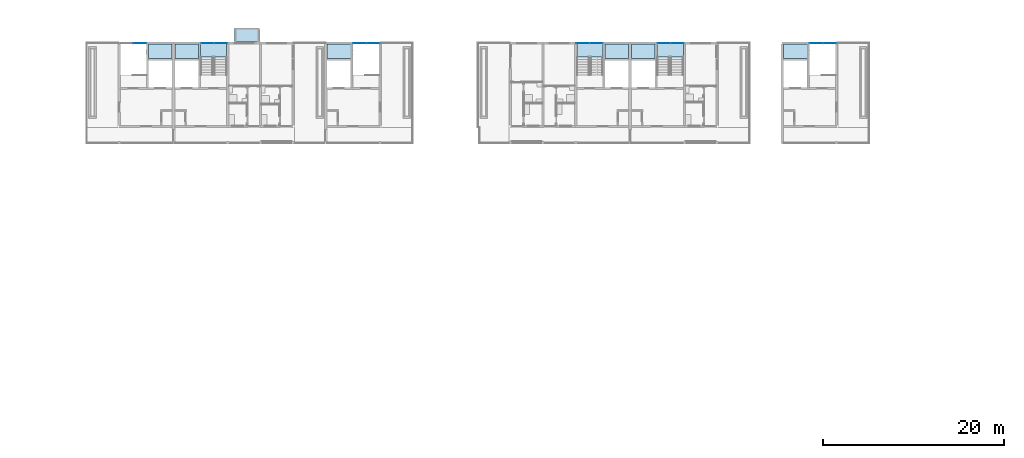
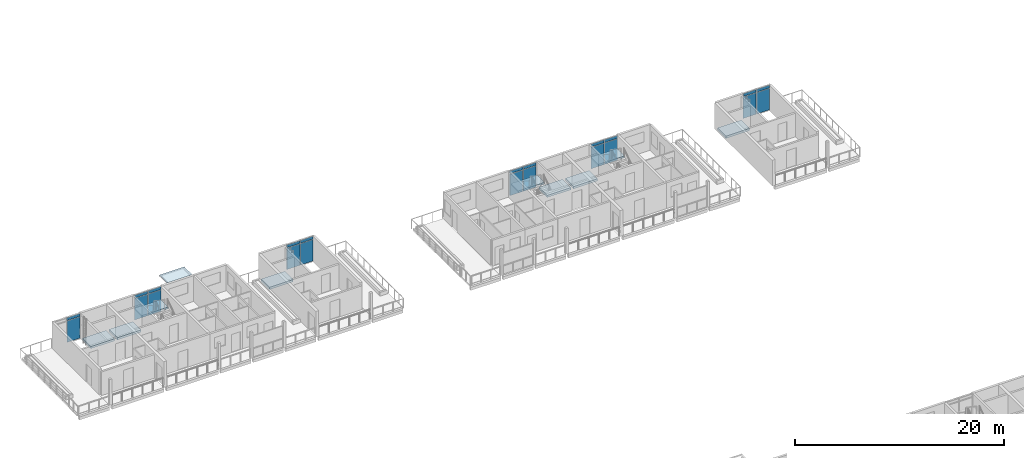
# One storey, part 29 of 94: 22 plates, 10 slabs, 9 elements without a shape of their own.
"""IFC4 building model written with IfcOpenShell, lengths in metres."""

from ifc_helpers import new_model, si_unit, direction, frame, origin, origin_2d, place, context, subcontext, project, spatial, polyline, rectangle, outline, extrude, material, layer, layer_set, type_object, element, aggregate, save


model = new_model("IFC4")

# Units and contexts
model_context = context("Model", 3, precision=1e-05, world=origin(), true_north=direction((0.0, 1.0)))
body_context = subcontext(model_context, "Body", "Model", "MODEL_VIEW")
ifc_project = project(units=[si_unit("LENGTHUNIT", "METRE"), si_unit("AREAUNIT", "SQUARE_METRE"), si_unit("VOLUMEUNIT", "CUBIC_METRE"), si_unit("PLANEANGLEUNIT", "RADIAN"), si_unit("MASSUNIT", "GRAM", prefix="KILO")], contexts=[model_context])

# Site, building, storey
site_placement = place(None, origin())
site = spatial("IfcSite", under=ifc_project, at=site_placement, CompositionType="ELEMENT")
building_placement = place(site_placement, origin())
building = spatial("IfcBuilding", under=site, at=building_placement, Name="Ridgestep Commons", CompositionType="ELEMENT")
storey_placement = place(building_placement, frame((0.0, 0.0, 24.0)))
storey = spatial("IfcBuildingStorey", under=building, at=storey_placement, Name="L08", CompositionType="ELEMENT", Elevation=24.0)

# Curtain wall, plate
ifc_material_1 = material(Name="Aluminium 6063-T6 and glass", Category="aluminium")
curtain_wall_type = type_object("IfcCurtainWallType", Name="Curtain wall stair strip", PredefinedType="NOTDEFINED", material=ifc_material_1)
curtain_wall_1_placement = place(storey_placement, origin())
curtain_wall_1 = element("IfcCurtainWall", 1, at=curtain_wall_1_placement, inside=storey, type_object=curtain_wall_type, Name="Curtain wall B1C level 08", PredefinedType="NOTDEFINED")
ifc_material_2 = material(Name="Glass laminated 6/16/6 low-emissivity", Category="glass")
ifc_layer_1 = layer(ifc_material_2, 0.028076171875)
ifc_layer_set_1 = layer_set([ifc_layer_1], Name="Glazing panel 28")
plate_type_1 = type_object("IfcPlateType", Name="Glazing panel 28", PredefinedType="CURTAIN_PANEL", material=ifc_layer_set_1)
plate_1_placement = place(storey_placement, frame((25.0537109375, 77.080078125, 0.06005859375), z_axis=(0.0, 0.0, 1.0), x_axis=(1.0, 0.0, 0.0)))
plate_1 = element("IfcPlate", 2, at=plate_1_placement, type_object=plate_type_1, Name="CW1 panel 2.1", PredefinedType="CURTAIN_PANEL", context=body_context, shape_type="SweptSolid", body=[
    extrude(rectangle(XDim=1.422607421875, YDim=0.028076171875, at=origin_2d()), origin(), (0.0, 0.0, 1.0), 2.5),
])

# Curtain wall, plates
curtain_wall_2_placement = place(storey_placement, origin())
curtain_wall_2 = element("IfcCurtainWall", 3, at=curtain_wall_2_placement, inside=storey, type_object=curtain_wall_type, Name="Curtain wall B2C level 08", PredefinedType="NOTDEFINED")
plate_2_placement = place(storey_placement, frame((32.546142578125, 77.080078125, 0.06005859375), z_axis=(0.0, 0.0, 1.0), x_axis=(1.0, 0.0, 0.0)))
plate_2 = element("IfcPlate", 4, at=plate_2_placement, type_object=plate_type_1, Name="CW1 panel 1.1", PredefinedType="CURTAIN_PANEL", context=body_context, shape_type="SweptSolid", body=[
    extrude(rectangle(XDim=1.422607421875, YDim=0.028076171875, at=origin_2d()), origin(), (0.0, 0.0, 1.0), 2.5),
])
plate_3_placement = place(storey_placement, frame((34.02880859375, 77.080078125, 0.06005859375), z_axis=(0.0, 0.0, 1.0), x_axis=(1.0, 0.0, 0.0)))
plate_3 = element("IfcPlate", 5, at=plate_3_placement, type_object=plate_type_1, Name="CW1 panel 2.1", PredefinedType="CURTAIN_PANEL", context=body_context, shape_type="SweptSolid", body=[
    extrude(rectangle(XDim=1.422607421875, YDim=0.028076171875, at=origin_2d()), origin(), (0.0, 0.0, 1.0), 2.5),
])

curtain_wall_3_placement = place(storey_placement, origin())
curtain_wall_3 = element("IfcCurtainWall", 6, at=curtain_wall_3_placement, inside=storey, type_object=curtain_wall_type, Name="Curtain wall B3C level 08", PredefinedType="NOTDEFINED")
plate_4_placement = place(storey_placement, frame((49.34619140625, 77.080078125, 0.06005859375), z_axis=(0.0, 0.0, 1.0), x_axis=(1.0, 0.0, 0.0)))
plate_4 = element("IfcPlate", 7, at=plate_4_placement, type_object=plate_type_1, Name="CW1 panel 1.1", PredefinedType="CURTAIN_PANEL", context=body_context, shape_type="SweptSolid", body=[
    extrude(rectangle(XDim=1.422607421875, YDim=0.028076171875, at=origin_2d()), origin(), (0.0, 0.0, 1.0), 2.5),
])
plate_5_placement = place(storey_placement, frame((50.828857421875, 77.080078125, 0.06005859375), z_axis=(0.0, 0.0, 1.0), x_axis=(1.0, 0.0, 0.0)))
plate_5 = element("IfcPlate", 8, at=plate_5_placement, type_object=plate_type_1, Name="CW1 panel 2.1", PredefinedType="CURTAIN_PANEL", context=body_context, shape_type="SweptSolid", body=[
    extrude(rectangle(XDim=1.422607421875, YDim=0.028076171875, at=origin_2d()), origin(), (0.0, 0.0, 1.0), 2.5),
])

curtain_wall_4_placement = place(storey_placement, origin())
curtain_wall_4 = element("IfcCurtainWall", 9, at=curtain_wall_4_placement, inside=storey, type_object=curtain_wall_type, Name="Curtain wall B4C level 08", PredefinedType="NOTDEFINED")
plate_6_placement = place(storey_placement, frame((73.97119140625, 77.080078125, 0.06005859375), z_axis=(0.0, 0.0, 1.0), x_axis=(1.0, 0.0, 0.0)))
plate_6 = element("IfcPlate", 10, at=plate_6_placement, type_object=plate_type_1, Name="CW1 panel 1.1", PredefinedType="CURTAIN_PANEL", context=body_context, shape_type="SweptSolid", body=[
    extrude(rectangle(XDim=1.422607421875, YDim=0.028076171875, at=origin_2d()), origin(), (0.0, 0.0, 1.0), 2.5),
])
plate_7_placement = place(storey_placement, frame((75.453857421875, 77.080078125, 0.06005859375), z_axis=(0.0, 0.0, 1.0), x_axis=(1.0, 0.0, 0.0)))
plate_7 = element("IfcPlate", 11, at=plate_7_placement, type_object=plate_type_1, Name="CW1 panel 2.1", PredefinedType="CURTAIN_PANEL", context=body_context, shape_type="SweptSolid", body=[
    extrude(rectangle(XDim=1.422607421875, YDim=0.028076171875, at=origin_2d()), origin(), (0.0, 0.0, 1.0), 2.5),
])

curtain_wall_5_placement = place(storey_placement, origin())
curtain_wall_5 = element("IfcCurtainWall", 12, at=curtain_wall_5_placement, inside=storey, type_object=curtain_wall_type, Name="Curtain wall B5C level 08", PredefinedType="NOTDEFINED")
plate_8_placement = place(storey_placement, frame((82.9462890625, 77.080078125, 0.06005859375), z_axis=(0.0, 0.0, 1.0), x_axis=(1.0, 0.0, 0.0)))
plate_8 = element("IfcPlate", 13, at=plate_8_placement, type_object=plate_type_1, Name="CW1 panel 1.1", PredefinedType="CURTAIN_PANEL", context=body_context, shape_type="SweptSolid", body=[
    extrude(rectangle(XDim=1.422607421875, YDim=0.028076171875, at=origin_2d()), origin(), (0.0, 0.0, 1.0), 2.5),
])
plate_9_placement = place(storey_placement, frame((84.4287109375, 77.080078125, 0.06005859375), z_axis=(0.0, 0.0, 1.0), x_axis=(1.0, 0.0, 0.0)))
plate_9 = element("IfcPlate", 14, at=plate_9_placement, type_object=plate_type_1, Name="CW1 panel 2.1", PredefinedType="CURTAIN_PANEL", context=body_context, shape_type="SweptSolid", body=[
    extrude(rectangle(XDim=1.422607421875, YDim=0.028076171875, at=origin_2d()), origin(), (0.0, 0.0, 1.0), 2.5),
])

curtain_wall_6_placement = place(storey_placement, origin())
curtain_wall_6 = element("IfcCurtainWall", 15, at=curtain_wall_6_placement, inside=storey, type_object=curtain_wall_type, Name="Curtain wall B6C level 08", PredefinedType="NOTDEFINED")
plate_10_placement = place(storey_placement, frame((99.746337890625, 77.080078125, 0.06005859375), z_axis=(0.0, 0.0, 1.0), x_axis=(1.0, 0.0, 0.0)))
plate_10 = element("IfcPlate", 16, at=plate_10_placement, type_object=plate_type_1, Name="CW1 panel 1.1", PredefinedType="CURTAIN_PANEL", context=body_context, shape_type="SweptSolid", body=[
    extrude(rectangle(XDim=1.422607421875, YDim=0.028076171875, at=origin_2d()), origin(), (0.0, 0.0, 1.0), 2.5),
])
plate_11_placement = place(storey_placement, frame((101.228759765625, 77.080078125, 0.06005859375), z_axis=(0.0, 0.0, 1.0), x_axis=(1.0, 0.0, 0.0)))
plate_11 = element("IfcPlate", 17, at=plate_11_placement, type_object=plate_type_1, Name="CW1 panel 2.1", PredefinedType="CURTAIN_PANEL", context=body_context, shape_type="SweptSolid", body=[
    extrude(rectangle(XDim=1.422607421875, YDim=0.028076171875, at=origin_2d()), origin(), (0.0, 0.0, 1.0), 2.5),
])

# Slabs
ifc_material_3 = material(Name="Precast concrete C50/60", Category="concrete")
ifc_layer_2 = layer(ifc_material_3, 0.25)
ifc_layer_set_2 = layer_set([ifc_layer_2], Name="Hollow-core plank 250")
slab_type_1 = type_object("IfcSlabType", Name="Hollow-core plank 250", PredefinedType="FLOOR", material=ifc_layer_set_2)
slab_1_placement = place(storey_placement, frame((0.0, 0.0, -0.25)))
element("IfcSlab", 18, at=slab_1_placement, inside=storey, type_object=slab_type_1, Name="Floor plank B1C L08", PredefinedType="FLOOR", context=body_context, shape_type="SweptSolid", body=[
    extrude(outline(polyline([(28.64990234375, 75.39990234375), (28.64990234375, 77.0), (26.02490234375, 77.0), (26.02490234375, 75.39990234375), (28.64990234375, 75.39990234375)])), origin(), (0.0, 0.0, 1.0), 0.25),
])
slab_2_placement = place(storey_placement, frame((0.0, 0.0, -0.25)))
element("IfcSlab", 19, at=slab_2_placement, inside=storey, type_object=slab_type_1, Name="Floor plank B2C L08", PredefinedType="FLOOR", context=body_context, shape_type="SweptSolid", body=[
    extrude(outline(polyline([(31.574951171875, 77.0), (28.949951171875, 77.0), (28.949951171875, 75.39990234375), (31.574951171875, 75.39990234375), (31.574951171875, 77.0)])), origin(), (0.0, 0.0, 1.0), 0.25),
])
slab_3_placement = place(storey_placement, frame((0.0, 0.0, -0.25)))
element("IfcSlab", 20, at=slab_3_placement, inside=storey, type_object=slab_type_1, Name="Floor plank B3C L08", PredefinedType="FLOOR", context=body_context, shape_type="SweptSolid", body=[
    extrude(outline(polyline([(48.375, 77.0), (45.75, 77.0), (45.75, 75.39990234375), (48.375, 75.39990234375), (48.375, 77.0)])), origin(), (0.0, 0.0, 1.0), 0.25),
])
slab_4_placement = place(storey_placement, frame((0.0, 0.0, -0.25)))
element("IfcSlab", 21, at=slab_4_placement, inside=storey, type_object=slab_type_1, Name="Floor plank B4C L08", PredefinedType="FLOOR", context=body_context, shape_type="SweptSolid", body=[
    extrude(outline(polyline([(79.050048828125, 75.39990234375), (79.050048828125, 77.0), (76.425048828125, 77.0), (76.425048828125, 75.39990234375), (79.050048828125, 75.39990234375)])), origin(), (0.0, 0.0, 1.0), 0.25),
])
slab_5_placement = place(storey_placement, frame((0.0, 0.0, -0.25)))
element("IfcSlab", 22, at=slab_5_placement, inside=storey, type_object=slab_type_1, Name="Floor plank B5C L08", PredefinedType="FLOOR", context=body_context, shape_type="SweptSolid", body=[
    extrude(outline(polyline([(81.97509765625, 77.0), (79.35009765625, 77.0), (79.35009765625, 75.39990234375), (81.97509765625, 75.39990234375), (81.97509765625, 77.0)])), origin(), (0.0, 0.0, 1.0), 0.25),
])
slab_6_placement = place(storey_placement, frame((0.0, 0.0, -0.25)))
element("IfcSlab", 23, at=slab_6_placement, inside=storey, type_object=slab_type_1, Name="Floor plank B6C L08", PredefinedType="FLOOR", context=body_context, shape_type="SweptSolid", body=[
    extrude(outline(polyline([(98.77490234375, 77.0), (96.14990234375, 77.0), (96.14990234375, 75.39990234375), (98.77490234375, 75.39990234375), (98.77490234375, 77.0)])), origin(), (0.0, 0.0, 1.0), 0.25),
])

# Plate
ifc_material_4 = material(Name="Aluminium 6063-T6 and mineral wool", Category="aluminium")
ifc_layer_3 = layer(ifc_material_4, 0.0400390625)
ifc_layer_set_3 = layer_set([ifc_layer_3], Name="Spandrel panel 40")
plate_type_2 = type_object("IfcPlateType", Name="Spandrel panel 40", PredefinedType="CURTAIN_PANEL", material=ifc_layer_set_3)
plate_12_placement = place(storey_placement, frame((25.0537109375, 77.080078125, 2.6201171875), z_axis=(0.0, 0.0, 1.0), x_axis=(1.0, 0.0, 0.0)))
plate_12 = element("IfcPlate", 24, at=plate_12_placement, type_object=plate_type_2, Name="CW1 panel 2.2", PredefinedType="CURTAIN_PANEL", context=body_context, shape_type="SweptSolid", body=[
    extrude(rectangle(XDim=1.422607421875, YDim=0.0400390625, at=origin_2d()), origin(), (0.0, 0.0, 1.0), 0.320068359375),
])

aggregate(curtain_wall_1, [plate_1, plate_12])

plate_13_placement = place(storey_placement, frame((32.546142578125, 77.080078125, 2.6201171875), z_axis=(0.0, 0.0, 1.0), x_axis=(1.0, 0.0, 0.0)))
plate_13 = element("IfcPlate", 25, at=plate_13_placement, type_object=plate_type_2, Name="CW1 panel 1.2", PredefinedType="CURTAIN_PANEL", context=body_context, shape_type="SweptSolid", body=[
    extrude(rectangle(XDim=1.422607421875, YDim=0.0400390625, at=origin_2d()), origin(), (0.0, 0.0, 1.0), 0.320068359375),
])

plate_14_placement = place(storey_placement, frame((34.02880859375, 77.080078125, 2.6201171875), z_axis=(0.0, 0.0, 1.0), x_axis=(1.0, 0.0, 0.0)))
plate_14 = element("IfcPlate", 26, at=plate_14_placement, type_object=plate_type_2, Name="CW1 panel 2.2", PredefinedType="CURTAIN_PANEL", context=body_context, shape_type="SweptSolid", body=[
    extrude(rectangle(XDim=1.422607421875, YDim=0.0400390625, at=origin_2d()), origin(), (0.0, 0.0, 1.0), 0.320068359375),
])

aggregate(curtain_wall_2, [plate_2, plate_13, plate_3, plate_14])

plate_15_placement = place(storey_placement, frame((49.34619140625, 77.080078125, 2.6201171875), z_axis=(0.0, 0.0, 1.0), x_axis=(1.0, 0.0, 0.0)))
plate_15 = element("IfcPlate", 27, at=plate_15_placement, type_object=plate_type_2, Name="CW1 panel 1.2", PredefinedType="CURTAIN_PANEL", context=body_context, shape_type="SweptSolid", body=[
    extrude(rectangle(XDim=1.422607421875, YDim=0.0400390625, at=origin_2d()), origin(), (0.0, 0.0, 1.0), 0.320068359375),
])

plate_16_placement = place(storey_placement, frame((50.828857421875, 77.080078125, 2.6201171875), z_axis=(0.0, 0.0, 1.0), x_axis=(1.0, 0.0, 0.0)))
plate_16 = element("IfcPlate", 28, at=plate_16_placement, type_object=plate_type_2, Name="CW1 panel 2.2", PredefinedType="CURTAIN_PANEL", context=body_context, shape_type="SweptSolid", body=[
    extrude(rectangle(XDim=1.422607421875, YDim=0.0400390625, at=origin_2d()), origin(), (0.0, 0.0, 1.0), 0.320068359375),
])

aggregate(curtain_wall_3, [plate_4, plate_15, plate_5, plate_16])

plate_17_placement = place(storey_placement, frame((73.97119140625, 77.080078125, 2.6201171875), z_axis=(0.0, 0.0, 1.0), x_axis=(1.0, 0.0, 0.0)))
plate_17 = element("IfcPlate", 29, at=plate_17_placement, type_object=plate_type_2, Name="CW1 panel 1.2", PredefinedType="CURTAIN_PANEL", context=body_context, shape_type="SweptSolid", body=[
    extrude(rectangle(XDim=1.422607421875, YDim=0.0400390625, at=origin_2d()), origin(), (0.0, 0.0, 1.0), 0.320068359375),
])

plate_18_placement = place(storey_placement, frame((75.453857421875, 77.080078125, 2.6201171875), z_axis=(0.0, 0.0, 1.0), x_axis=(1.0, 0.0, 0.0)))
plate_18 = element("IfcPlate", 30, at=plate_18_placement, type_object=plate_type_2, Name="CW1 panel 2.2", PredefinedType="CURTAIN_PANEL", context=body_context, shape_type="SweptSolid", body=[
    extrude(rectangle(XDim=1.422607421875, YDim=0.0400390625, at=origin_2d()), origin(), (0.0, 0.0, 1.0), 0.320068359375),
])

aggregate(curtain_wall_4, [plate_6, plate_17, plate_7, plate_18])

plate_19_placement = place(storey_placement, frame((82.9462890625, 77.080078125, 2.6201171875), z_axis=(0.0, 0.0, 1.0), x_axis=(1.0, 0.0, 0.0)))
plate_19 = element("IfcPlate", 31, at=plate_19_placement, type_object=plate_type_2, Name="CW1 panel 1.2", PredefinedType="CURTAIN_PANEL", context=body_context, shape_type="SweptSolid", body=[
    extrude(rectangle(XDim=1.422607421875, YDim=0.0400390625, at=origin_2d()), origin(), (0.0, 0.0, 1.0), 0.320068359375),
])

plate_20_placement = place(storey_placement, frame((84.4287109375, 77.080078125, 2.6201171875), z_axis=(0.0, 0.0, 1.0), x_axis=(1.0, 0.0, 0.0)))
plate_20 = element("IfcPlate", 32, at=plate_20_placement, type_object=plate_type_2, Name="CW1 panel 2.2", PredefinedType="CURTAIN_PANEL", context=body_context, shape_type="SweptSolid", body=[
    extrude(rectangle(XDim=1.422607421875, YDim=0.0400390625, at=origin_2d()), origin(), (0.0, 0.0, 1.0), 0.320068359375),
])

aggregate(curtain_wall_5, [plate_8, plate_19, plate_9, plate_20])

plate_21_placement = place(storey_placement, frame((99.746337890625, 77.080078125, 2.6201171875), z_axis=(0.0, 0.0, 1.0), x_axis=(1.0, 0.0, 0.0)))
plate_21 = element("IfcPlate", 33, at=plate_21_placement, type_object=plate_type_2, Name="CW1 panel 1.2", PredefinedType="CURTAIN_PANEL", context=body_context, shape_type="SweptSolid", body=[
    extrude(rectangle(XDim=1.422607421875, YDim=0.0400390625, at=origin_2d()), origin(), (0.0, 0.0, 1.0), 0.320068359375),
])

plate_22_placement = place(storey_placement, frame((101.228759765625, 77.080078125, 2.6201171875), z_axis=(0.0, 0.0, 1.0), x_axis=(1.0, 0.0, 0.0)))
plate_22 = element("IfcPlate", 34, at=plate_22_placement, type_object=plate_type_2, Name="CW1 panel 2.2", PredefinedType="CURTAIN_PANEL", context=body_context, shape_type="SweptSolid", body=[
    extrude(rectangle(XDim=1.422607421875, YDim=0.0400390625, at=origin_2d()), origin(), (0.0, 0.0, 1.0), 0.320068359375),
])

aggregate(curtain_wall_6, [plate_10, plate_21, plate_11, plate_22])

# Stair, slab
ifc_material_5 = material(Name="Precast concrete C40/50", Category="concrete")
stair_type = type_object("IfcStairType", Name="Escape stair 1400", PredefinedType="HALF_TURN_STAIR", material=ifc_material_5)
stair_1_placement = place(storey_placement, origin())
stair_1 = element("IfcStair", 35, at=stair_1_placement, inside=storey, type_object=stair_type, Name="L08 Escape stair B2C", PredefinedType="HALF_TURN_STAIR")
ifc_material_6 = material(Name="Precast concrete C40/50", Category="concrete")
ifc_layer_4 = layer(ifc_material_6, 0.199951171875)
ifc_layer_set_4 = layer_set([ifc_layer_4], Name="Stair landing 200")
slab_type_2 = type_object("IfcSlabType", Name="Stair landing 200", PredefinedType="LANDING", material=ifc_layer_set_4)
slab_7_placement = place(storey_placement, frame((0.0, 0.0, 1.300048828125)))
slab_7 = element("IfcSlab", 36, at=slab_7_placement, type_object=slab_type_2, Name="B2C landing 1", PredefinedType="LANDING", context=body_context, shape_type="SweptSolid", body=[
    extrude(outline(polyline([(34.675048828125, 75.56005859375), (34.675048828125, 77.0), (31.77490234375, 77.0), (31.77490234375, 75.56005859375), (34.675048828125, 75.56005859375)])), origin(), (0.0, 0.0, 1.0), 0.199951171875),
])
aggregate(stair_1, [slab_7])

stair_2_placement = place(storey_placement, origin())
stair_2 = element("IfcStair", 37, at=stair_2_placement, inside=storey, type_object=stair_type, Name="L08 Escape stair B4C", PredefinedType="HALF_TURN_STAIR")
slab_8_placement = place(storey_placement, frame((0.0, 0.0, 1.300048828125)))
slab_8 = element("IfcSlab", 38, at=slab_8_placement, type_object=slab_type_2, Name="B4C landing 1", PredefinedType="LANDING", context=body_context, shape_type="SweptSolid", body=[
    extrude(outline(polyline([(76.22509765625, 75.56005859375), (76.22509765625, 77.0), (73.324951171875, 77.0), (73.324951171875, 75.56005859375), (76.22509765625, 75.56005859375)])), origin(), (0.0, 0.0, 1.0), 0.199951171875),
])
aggregate(stair_2, [slab_8])

stair_3_placement = place(storey_placement, origin())
stair_3 = element("IfcStair", 39, at=stair_3_placement, inside=storey, type_object=stair_type, Name="L08 Escape stair B5C", PredefinedType="HALF_TURN_STAIR")
slab_9_placement = place(storey_placement, frame((0.0, 0.0, 1.300048828125)))
slab_9 = element("IfcSlab", 40, at=slab_9_placement, type_object=slab_type_2, Name="B5C landing 1", PredefinedType="LANDING", context=body_context, shape_type="SweptSolid", body=[
    extrude(outline(polyline([(85.074951171875, 75.56005859375), (85.074951171875, 77.0), (82.175048828125, 77.0), (82.175048828125, 75.56005859375), (85.074951171875, 75.56005859375)])), origin(), (0.0, 0.0, 1.0), 0.199951171875),
])
aggregate(stair_3, [slab_9])

# Slab
ifc_material_7 = material(Name="Weathering steel S355J2W", Category="steel")
ifc_layer_5 = layer(ifc_material_7, 0.010009765625)
ifc_layer_set_5 = layer_set([ifc_layer_5], Name="Tray 2.8 x 1.5")
slab_type_3 = type_object("IfcSlabType", Name="Tray 2.8 x 1.5", PredefinedType="FLOOR", material=ifc_layer_set_5)
slab_10_placement = place(storey_placement, frame((0.0, 0.0, 2.989990234375)))
element("IfcSlab", 41, at=slab_10_placement, inside=storey, type_object=slab_type_3, Name="Tray deck B2T3-09", PredefinedType="FLOOR", context=body_context, shape_type="SweptSolid", body=[
    extrude(outline(polyline([(35.530029296875, 77.25), (38.27001953125, 77.25), (38.27001953125, 78.75), (35.530029296875, 78.75), (35.530029296875, 77.25)])), origin(), (0.0, 0.0, 1.0), 0.010009765625),
])

save(model, "model.ifc")
